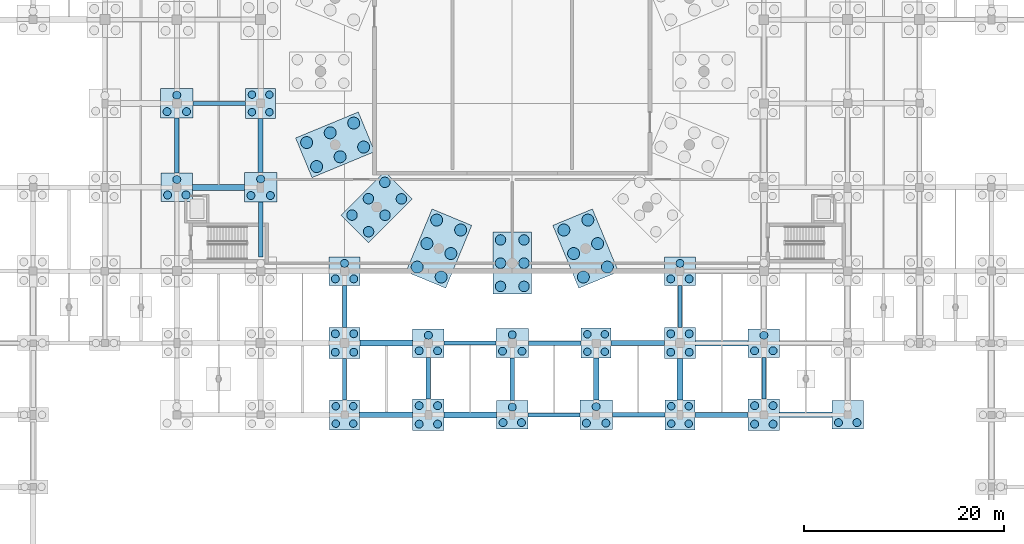
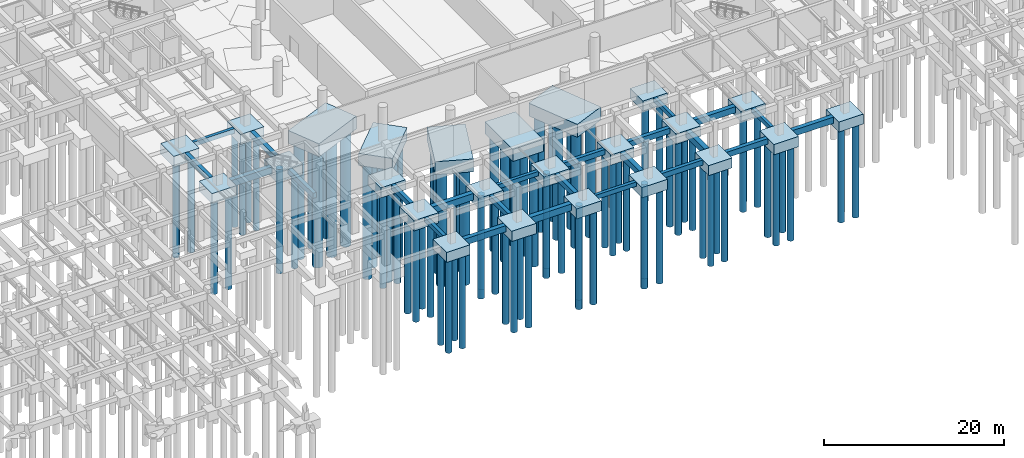
# One storey, part 4 of 44: 94 piles, 48 footings.
"""IFC4 building model written with IfcOpenShell, lengths in metres."""

from ifc_helpers import new_model, si_unit, direction, frame, origin, origin_2d, place, context, subcontext, project, spatial, rectangle, circle, extrude, material, material_profile, profile_set, type_object, element, save


model = new_model("IFC4")

# Units and contexts
model_context = context("Model", 3, precision=1e-05, world=origin(), true_north=direction((0.0, 1.0)))
body_context = subcontext(model_context, "Body", "Model", "MODEL_VIEW")
ifc_project = project(units=[si_unit("LENGTHUNIT", "METRE"), si_unit("AREAUNIT", "SQUARE_METRE"), si_unit("VOLUMEUNIT", "CUBIC_METRE"), si_unit("PLANEANGLEUNIT", "RADIAN"), si_unit("MASSUNIT", "GRAM", prefix="KILO")], contexts=[model_context])

# Site, building, storey
site_placement = place(None, origin())
site = spatial("IfcSite", under=ifc_project, at=site_placement, CompositionType="ELEMENT")
building_placement = place(site_placement, origin())
building = spatial("IfcBuilding", under=site, at=building_placement, Name="Korsvaeld Concert Hall", CompositionType="ELEMENT")
storey_placement = place(building_placement, frame((0.0, 0.0, -4.800048828125)))
storey = spatial("IfcBuildingStorey", under=building, at=storey_placement, Name="B1", CompositionType="ELEMENT", Elevation=-4.800048828125)

# Footings
ifc_material_1 = material(Name="Concrete C35/45", Category="concrete")
ifc_material_profile_1 = material_profile(ifc_material_1, rectangle(XDim=0.39990234375, YDim=0.60009765625, at=origin_2d()), Name="GTB 400x600")
ifc_profile_set_1 = profile_set([ifc_material_profile_1], Name="Concrete C35/45")
footing_type_1 = type_object("IfcFootingType", Name="GTB-400x600", PredefinedType="FOOTING_BEAM", material=ifc_profile_set_1)
for number, where, z_axis, x_axis, name in (
    (1, (85.574951171875, 28.800048828125, -0.300048828125), (1.0, 0.0, 0.0), (0.0, 1.0, 0.0), "Ground tie beam 12-13/E"),
    (2, (77.175048828125, 36.0, -0.300048828125), (1.0, 0.0, 0.0), (0.0, 1.0, 0.0), "Ground tie beam 11-12/F"),
):
    element("IfcFooting", number, at=place(storey_placement, frame(where, z_axis=z_axis, x_axis=x_axis)), inside=storey, type_object=footing_type_1, Name=name, PredefinedType="FOOTING_BEAM", context=body_context, shape_type="SweptSolid", body=[
        extrude(rectangle(XDim=0.39990234375, YDim=0.60009765625, at=origin_2d()), origin(), (0.0, 0.0, 1.0), 5.199951171875),
    ])
footing_1_placement = place(storey_placement, frame((52.02490234375, 60.0, -0.300048828125), z_axis=(1.0, 0.0, 0.0), x_axis=(0.0, 1.0, 0.0)))
element("IfcFooting", 3, at=footing_1_placement, inside=storey, type_object=footing_type_1, Name="Ground tie beam 8-9/J", PredefinedType="FOOTING_BEAM", context=body_context, shape_type="SweptSolid", body=[
    extrude(rectangle(XDim=0.39990234375, YDim=0.60009765625, at=origin_2d()), origin(), (0.0, 0.0, 1.0), 5.275146484375),
])
footing_2_placement = place(storey_placement, frame((67.199951171875, 30.300048828125, -0.300048828125), z_axis=(0.0, 1.0, 0.0), x_axis=(-1.0, 0.0, 0.0)))
element("IfcFooting", 4, at=footing_2_placement, inside=storey, type_object=footing_type_1, Name="Ground tie beam 10/E-F", PredefinedType="FOOTING_BEAM", context=body_context, shape_type="SweptSolid", body=[
    extrude(rectangle(XDim=0.39990234375, YDim=0.60009765625, at=origin_2d()), origin(), (0.0, 0.0, 1.0), 4.125),
])
for number, where, z_axis, x_axis, name in (
    (5, (100.800048828125, 37.574951171875, -0.300048828125), (0.0, 1.0, 0.0), (-1.0, 0.0, 0.0), "Ground tie beam 14/F-G"),
    (6, (109.199951171875, 30.375, -0.300048828125), (0.0, 1.0, 0.0), (-1.0, 0.0, 0.0), "Ground tie beam 15/E-F"),
):
    element("IfcFooting", number, at=place(storey_placement, frame(where, z_axis=z_axis, x_axis=x_axis)), inside=storey, type_object=footing_type_1, Name=name, PredefinedType="FOOTING_BEAM", context=body_context, shape_type="SweptSolid", body=[
        extrude(rectangle(XDim=0.39990234375, YDim=0.60009765625, at=origin_2d()), origin(), (0.0, 0.0, 1.0), 4.199951171875),
    ])
ifc_material_profile_2 = material_profile(ifc_material_1, rectangle(XDim=0.449951171875, YDim=0.699951171875, at=origin_2d()), Name="GTB 450x700")
ifc_profile_set_2 = profile_set([ifc_material_profile_2], Name="Concrete C35/45")
footing_type_2 = type_object("IfcFootingType", Name="GTB-450x700", PredefinedType="FOOTING_BEAM", material=ifc_profile_set_2)
footing_3_placement = place(storey_placement, frame((94.02490234375, 28.800048828125, -0.349853515625), z_axis=(1.0, 0.0, 0.0), x_axis=(0.0, 1.0, 0.0)))
element("IfcFooting", 7, at=footing_3_placement, inside=storey, type_object=footing_type_2, Name="Ground tie beam 13-14/E", PredefinedType="FOOTING_BEAM", context=body_context, shape_type="SweptSolid", body=[
    extrude(rectangle(XDim=0.449951171875, YDim=0.699951171875, at=origin_2d()), origin(), (0.0, 0.0, 1.0), 5.275146484375),
])
footing_4_placement = place(storey_placement, frame((85.625, 36.0, -0.349853515625), z_axis=(1.0, 0.0, 0.0), x_axis=(0.0, 1.0, 0.0)))
element("IfcFooting", 8, at=footing_4_placement, inside=storey, type_object=footing_type_2, Name="Ground tie beam 12-13/F", PredefinedType="FOOTING_BEAM", context=body_context, shape_type="SweptSolid", body=[
    extrude(rectangle(XDim=0.449951171875, YDim=0.699951171875, at=origin_2d()), origin(), (0.0, 0.0, 1.0), 5.27490234375),
])
for number, where, z_axis, x_axis, name in (
    (9, (50.39990234375, 53.02490234375, -0.349853515625), (0.0, 1.0, 0.0), (-1.0, 0.0, 0.0), "Ground tie beam 8/H-J"),
    (10, (58.800048828125, 44.625, -0.349853515625), (0.0, 1.0, 0.0), (-1.0, 0.0, 0.0), "Ground tie beam 9/G-H"),
):
    element("IfcFooting", number, at=place(storey_placement, frame(where, z_axis=z_axis, x_axis=x_axis)), inside=storey, type_object=footing_type_2, Name=name, PredefinedType="FOOTING_BEAM", context=body_context, shape_type="SweptSolid", body=[
        extrude(rectangle(XDim=0.449951171875, YDim=0.699951171875, at=origin_2d()), origin(), (0.0, 0.0, 1.0), 5.5),
    ])
for number, where, z_axis, x_axis, name in (
    (11, (67.199951171875, 37.574951171875, -0.349853515625), (0.0, 1.0, 0.0), (-1.0, 0.0, 0.0), "Ground tie beam 10/F-G"),
    (12, (75.60009765625, 30.375, -0.349853515625), (0.0, 1.0, 0.0), (-1.0, 0.0, 0.0), "Ground tie beam 11/E-F"),
):
    element("IfcFooting", number, at=place(storey_placement, frame(where, z_axis=z_axis, x_axis=x_axis)), inside=storey, type_object=footing_type_2, Name=name, PredefinedType="FOOTING_BEAM", context=body_context, shape_type="SweptSolid", body=[
        extrude(rectangle(XDim=0.449951171875, YDim=0.699951171875, at=origin_2d()), origin(), (0.0, 0.0, 1.0), 4.199951171875),
    ])
ifc_material_profile_3 = material_profile(ifc_material_1, rectangle(XDim=0.5, YDim=0.75, at=origin_2d()), Name="GTB 500x750")
ifc_profile_set_3 = profile_set([ifc_material_profile_3], Name="Concrete C35/45")
footing_type_3 = type_object("IfcFootingType", Name="GTB-500x750", PredefinedType="FOOTING_BEAM", material=ifc_profile_set_3)
footing_5_placement = place(storey_placement, frame((102.300048828125, 28.800048828125, -0.375), z_axis=(1.0, 0.0, 0.0), x_axis=(0.0, 1.0, 0.0)))
element("IfcFooting", 13, at=footing_5_placement, inside=storey, type_object=footing_type_3, Name="Ground tie beam 14-15/E", PredefinedType="FOOTING_BEAM", context=body_context, shape_type="SweptSolid", body=[
    extrude(rectangle(XDim=0.5, YDim=0.75, at=origin_2d()), origin(), (0.0, 0.0, 1.0), 5.324951171875),
])
footing_6_placement = place(storey_placement, frame((93.89990234375, 36.0, -0.375), z_axis=(1.0, 0.0, 0.0), x_axis=(0.0, 1.0, 0.0)))
element("IfcFooting", 14, at=footing_6_placement, inside=storey, type_object=footing_type_3, Name="Ground tie beam 13-14/F", PredefinedType="FOOTING_BEAM", context=body_context, shape_type="SweptSolid", body=[
    extrude(rectangle(XDim=0.5, YDim=0.75, at=origin_2d()), origin(), (0.0, 0.0, 1.0), 5.3251953125),
])
footing_7_placement = place(storey_placement, frame((58.800048828125, 53.074951171875, -0.375), z_axis=(0.0, 1.0, 0.0), x_axis=(-1.0, 0.0, 0.0)))
element("IfcFooting", 15, at=footing_7_placement, inside=storey, type_object=footing_type_3, Name="Ground tie beam 9/H-J", PredefinedType="FOOTING_BEAM", context=body_context, shape_type="SweptSolid", body=[
    extrude(rectangle(XDim=0.5, YDim=0.75, at=origin_2d()), origin(), (0.0, 0.0, 1.0), 5.425048828125),
])
footing_8_placement = place(storey_placement, frame((84.0, 30.22509765625, -0.375), z_axis=(0.0, 1.0, 0.0), x_axis=(-1.0, 0.0, 0.0)))
element("IfcFooting", 16, at=footing_8_placement, inside=storey, type_object=footing_type_3, Name="Ground tie beam 12/E-F", PredefinedType="FOOTING_BEAM", context=body_context, shape_type="SweptSolid", body=[
    extrude(rectangle(XDim=0.5, YDim=0.75, at=origin_2d()), origin(), (0.0, 0.0, 1.0), 4.2998046875),
])
ifc_material_profile_4 = material_profile(ifc_material_1, rectangle(XDim=0.550048828125, YDim=0.85009765625, at=origin_2d()), Name="GTB 550x850")
ifc_profile_set_4 = profile_set([ifc_material_profile_4], Name="Concrete C35/45")
footing_type_4 = type_object("IfcFootingType", Name="GTB-550x850", PredefinedType="FOOTING_BEAM", material=ifc_profile_set_4)
footing_9_placement = place(storey_placement, frame((68.699951171875, 28.800048828125, -0.425048828125), z_axis=(1.0, 0.0, 0.0), x_axis=(0.0, 1.0, 0.0)))
element("IfcFooting", 17, at=footing_9_placement, inside=storey, type_object=footing_type_4, Name="Ground tie beam 10-11/E", PredefinedType="FOOTING_BEAM", context=body_context, shape_type="SweptSolid", body=[
    extrude(rectangle(XDim=0.550048828125, YDim=0.85009765625, at=origin_2d()), origin(), (0.0, 0.0, 1.0), 5.324951171875),
])
for number, where, z_axis, x_axis, name in (
    (18, (110.77490234375, 28.800048828125, -0.425048828125), (1.0, 0.0, 0.0), (0.0, 1.0, 0.0), "Ground tie beam 15-16/E"),
    (19, (102.375, 36.0, -0.425048828125), (1.0, 0.0, 0.0), (0.0, 1.0, 0.0), "Ground tie beam 14-15/F"),
):
    element("IfcFooting", number, at=place(storey_placement, frame(where, z_axis=z_axis, x_axis=x_axis)), inside=storey, type_object=footing_type_4, Name=name, PredefinedType="FOOTING_BEAM", context=body_context, shape_type="SweptSolid", body=[
        extrude(rectangle(XDim=0.550048828125, YDim=0.85009765625, at=origin_2d()), origin(), (0.0, 0.0, 1.0), 5.25),
    ])
footing_10_placement = place(storey_placement, frame((92.39990234375, 30.27490234375, -0.425048828125), z_axis=(0.0, 1.0, 0.0), x_axis=(-1.0, 0.0, 0.0)))
element("IfcFooting", 20, at=footing_10_placement, inside=storey, type_object=footing_type_4, Name="Ground tie beam 13/E-F", PredefinedType="FOOTING_BEAM", context=body_context, shape_type="SweptSolid", body=[
    extrude(rectangle(XDim=0.550048828125, YDim=0.85009765625, at=origin_2d()), origin(), (0.0, 0.0, 1.0), 4.22509765625),
])
ifc_material_profile_5 = material_profile(ifc_material_1, rectangle(XDim=0.60009765625, YDim=0.89990234375, at=origin_2d()), Name="GTB 600x900")
ifc_profile_set_5 = profile_set([ifc_material_profile_5], Name="Concrete C35/45")
footing_type_5 = type_object("IfcFootingType", Name="GTB-600x900", PredefinedType="FOOTING_BEAM", material=ifc_profile_set_5)
for number, where, z_axis, x_axis, name in (
    (21, (77.175048828125, 28.800048828125, -0.449951171875), (1.0, 0.0, 0.0), (0.0, 1.0, 0.0), "Ground tie beam 11-12/E"),
    (22, (68.77490234375, 36.0, -0.449951171875), (1.0, 0.0, 0.0), (0.0, 1.0, 0.0), "Ground tie beam 10-11/F"),
):
    element("IfcFooting", number, at=place(storey_placement, frame(where, z_axis=z_axis, x_axis=x_axis)), inside=storey, type_object=footing_type_5, Name=name, PredefinedType="FOOTING_BEAM", context=body_context, shape_type="SweptSolid", body=[
        extrude(rectangle(XDim=0.60009765625, YDim=0.89990234375, at=origin_2d()), origin(), (0.0, 0.0, 1.0), 5.25),
    ])
footing_11_placement = place(storey_placement, frame((51.97509765625, 51.60009765625, -0.449951171875), z_axis=(1.0, 0.0, 0.0), x_axis=(0.0, 1.0, 0.0)))
element("IfcFooting", 23, at=footing_11_placement, inside=storey, type_object=footing_type_5, Name="Ground tie beam 8-9/H", PredefinedType="FOOTING_BEAM", context=body_context, shape_type="SweptSolid", body=[
    extrude(rectangle(XDim=0.60009765625, YDim=0.89990234375, at=origin_2d()), origin(), (0.0, 0.0, 1.0), 5.199951171875),
])
footing_12_placement = place(storey_placement, frame((100.800048828125, 30.300048828125, -0.449951171875), z_axis=(0.0, 1.0, 0.0), x_axis=(-1.0, 0.0, 0.0)))
element("IfcFooting", 24, at=footing_12_placement, inside=storey, type_object=footing_type_5, Name="Ground tie beam 14/E-F", PredefinedType="FOOTING_BEAM", context=body_context, shape_type="SweptSolid", body=[
    extrude(rectangle(XDim=0.60009765625, YDim=0.89990234375, at=origin_2d()), origin(), (0.0, 0.0, 1.0), 4.125),
])
footing_type_6 = type_object("IfcFootingType", Name="PC-3P-290x260x135", PredefinedType="PILE_CAP", material=ifc_material_1)
for number, where, z_axis, x_axis, name in (
    (25, (67.199951171875, 43.199951171875, -1.35009765625), (0.0, 0.0, 1.0), (1.0, 0.0, 0.0), "Pile cap 10/G"),
    (26, (75.60009765625, 36.0, -1.35009765625), (0.0, 0.0, 1.0), (1.0, 0.0, 0.0), "Pile cap 11/F"),
    (27, (84.0, 28.800048828125, -1.35009765625), (0.0, 0.0, 1.0), (1.0, 0.0, 0.0), "Pile cap 12/E"),
    (28, (100.800048828125, 43.199951171875, -1.35009765625), (0.0, 0.0, 1.0), (1.0, 0.0, 0.0), "Pile cap 14/G"),
    (29, (109.199951171875, 36.0, -1.35009765625), (0.0, 0.0, 1.0), (1.0, 0.0, 0.0), "Pile cap 15/F"),
    (30, (117.60009765625, 28.800048828125, -1.35009765625), (0.0, 0.0, 1.0), (1.0, 0.0, 0.0), "Pile cap 16/E"),
    (31, (50.39990234375, 51.60009765625, -1.35009765625), (0.0, 0.0, 1.0), (1.0, 0.0, 0.0), "Pile cap 8/H"),
):
    element("IfcFooting", number, at=place(storey_placement, frame(where, z_axis=z_axis, x_axis=x_axis)), inside=storey, type_object=footing_type_6, Name=name, PredefinedType="PILE_CAP", context=body_context, shape_type="SweptSolid", body=[
        extrude(rectangle(XDim=3.14990234375, YDim=2.85009765625, at=origin_2d()), origin(), (0.0, 0.0, 1.0), 1.35009765625),
    ])
footing_type_7 = type_object("IfcFootingType", Name="PC-3P-310x280x140", PredefinedType="PILE_CAP", material=ifc_material_1)
for number, where, z_axis, x_axis, name in (
    (32, (84.0, 36.0, -1.39990234375), (0.0, 0.0, 1.0), (1.0, 0.0, 0.0), "Pile cap 12/F"),
    (33, (92.39990234375, 28.800048828125, -1.39990234375), (0.0, 0.0, 1.0), (1.0, 0.0, 0.0), "Pile cap 13/E"),
    (34, (50.39990234375, 60.0, -1.39990234375), (0.0, 0.0, 1.0), (1.0, 0.0, 0.0), "Pile cap 8/J"),
    (35, (58.800048828125, 51.60009765625, -1.39990234375), (0.0, 0.0, 1.0), (1.0, 0.0, 0.0), "Pile cap 9/H"),
):
    element("IfcFooting", number, at=place(storey_placement, frame(where, z_axis=z_axis, x_axis=x_axis)), inside=storey, type_object=footing_type_7, Name=name, PredefinedType="PILE_CAP", context=body_context, shape_type="SweptSolid", body=[
        extrude(rectangle(XDim=3.25, YDim=2.949951171875, at=origin_2d()), origin(), (0.0, 0.0, 1.0), 1.39990234375),
    ])
footing_type_8 = type_object("IfcFootingType", Name="PC-4P-280x280x135", PredefinedType="PILE_CAP", material=ifc_material_1)
for number, where, z_axis, x_axis, name in (
    (36, (67.199951171875, 28.800048828125, -1.35009765625), (0.0, 0.0, 1.0), (1.0, 0.0, 0.0), "Pile cap 10/E"),
    (37, (92.39990234375, 36.0, -1.35009765625), (0.0, 0.0, 1.0), (1.0, 0.0, 0.0), "Pile cap 13/F"),
    (38, (100.800048828125, 28.800048828125, -1.35009765625), (0.0, 0.0, 1.0), (1.0, 0.0, 0.0), "Pile cap 14/E"),
    (39, (58.800048828125, 60.0, -1.35009765625), (0.0, 0.0, 1.0), (1.0, 0.0, 0.0), "Pile cap 9/J"),
):
    element("IfcFooting", number, at=place(storey_placement, frame(where, z_axis=z_axis, x_axis=x_axis)), inside=storey, type_object=footing_type_8, Name=name, PredefinedType="PILE_CAP", context=body_context, shape_type="SweptSolid", body=[
        extrude(rectangle(XDim=3.0, YDim=3.0, at=origin_2d()), origin(), (0.0, 0.0, 1.0), 1.35009765625),
    ])
footing_type_9 = type_object("IfcFootingType", Name="PC-4P-300x300x140", PredefinedType="PILE_CAP", material=ifc_material_1)
for number, where, z_axis, x_axis, name in (
    (40, (67.199951171875, 36.0, -1.39990234375), (0.0, 0.0, 1.0), (1.0, 0.0, 0.0), "Pile cap 10/F"),
    (41, (75.60009765625, 28.800048828125, -1.39990234375), (0.0, 0.0, 1.0), (1.0, 0.0, 0.0), "Pile cap 11/E"),
    (42, (100.800048828125, 36.0, -1.39990234375), (0.0, 0.0, 1.0), (1.0, 0.0, 0.0), "Pile cap 14/F"),
    (43, (109.199951171875, 28.800048828125, -1.39990234375), (0.0, 0.0, 1.0), (1.0, 0.0, 0.0), "Pile cap 15/E"),
):
    element("IfcFooting", number, at=place(storey_placement, frame(where, z_axis=z_axis, x_axis=x_axis)), inside=storey, type_object=footing_type_9, Name=name, PredefinedType="PILE_CAP", context=body_context, shape_type="SweptSolid", body=[
        extrude(rectangle(XDim=3.14990234375, YDim=3.14990234375, at=origin_2d()), origin(), (0.0, 0.0, 1.0), 1.39990234375),
    ])
footing_type_10 = type_object("IfcFootingType", Name="PC-6P-460x340x165", PredefinedType="PILE_CAP", material=ifc_material_1)
for number, where, z_axis, x_axis, name in (
    (44, (70.423583984375, 49.62353515625, -1.64990234375), (0.0, 0.0, 1.0), (-0.707106781187, -0.707106781187, 0.0), "Drum pile cap D11"),
    (45, (84.0, 44.0, -1.64990234375), (0.0, 0.0, 1.0), (0.0, -1.0, 0.0), "Drum pile cap D13"),
):
    element("IfcFooting", number, at=place(storey_placement, frame(where, z_axis=z_axis, x_axis=x_axis)), inside=storey, type_object=footing_type_10, Name=name, PredefinedType="PILE_CAP", context=body_context, shape_type="SweptSolid", body=[
        extrude(rectangle(XDim=6.199951171875, YDim=3.89990234375, at=origin_2d()), origin(), (0.0, 0.0, 1.0), 1.64990234375),
    ])
footing_type_11 = type_object("IfcFootingType", Name="PC-6P-500x360x175", PredefinedType="PILE_CAP", material=ifc_material_1)
for number, where, z_axis, x_axis, name in (
    (46, (66.261474609375, 55.8525390625, -1.75), (0.0, 0.0, 1.0), (-0.923879532511, -0.382683432365, 0.0), "Drum pile cap D10"),
    (47, (76.652587890625, 45.46142578125, -1.75), (0.0, 0.0, 1.0), (-0.382683432365, -0.923879532511, 0.0), "Drum pile cap D12"),
    (48, (91.347412109375, 45.46142578125, -1.75), (0.0, 0.0, 1.0), (0.382683432365, -0.923879532511, 0.0), "Drum pile cap D14"),
):
    element("IfcFooting", number, at=place(storey_placement, frame(where, z_axis=z_axis, x_axis=x_axis)), inside=storey, type_object=footing_type_11, Name=name, PredefinedType="PILE_CAP", context=body_context, shape_type="SweptSolid", body=[
        extrude(rectangle(XDim=6.800048828125, YDim=4.300048828125, at=origin_2d()), origin(), (0.0, 0.0, 1.0), 1.75),
    ])

# Piles
ifc_material_2 = material(Name="Concrete C40/50", Category="concrete")
ifc_material_profile_6 = material_profile(ifc_material_2, circle(Radius=0.52490234375, at=origin_2d()), Name="BORED PILE D1050")
ifc_profile_set_6 = profile_set([ifc_material_profile_6], Name="Concrete C40/50")
pile_type_1 = type_object("IfcPileType", Name="PILE-D1050", PredefinedType="BORED", material=ifc_profile_set_6)
for number, where, z_axis, x_axis, name in (
    (49, (71.23681640625, 52.098388671875, -1.550048828125), (0.0, 0.0, -1.0), (1.0, 0.0, 0.0), "Drum bored pile D11-1"),
    (50, (69.592529296875, 50.454345703125, -1.550048828125), (0.0, 0.0, -1.0), (1.0, 0.0, 0.0), "Drum bored pile D11-2"),
    (51, (67.948486328125, 48.810302734375, -1.550048828125), (0.0, 0.0, -1.0), (1.0, 0.0, 0.0), "Drum bored pile D11-3"),
    (52, (72.8984375, 50.436767578125, -1.550048828125), (0.0, 0.0, -1.0), (1.0, 0.0, 0.0), "Drum bored pile D11-4"),
    (53, (71.25439453125, 48.79248046875, -1.550048828125), (0.0, 0.0, -1.0), (1.0, 0.0, 0.0), "Drum bored pile D11-5"),
    (54, (69.6103515625, 47.148681640625, -1.550048828125), (0.0, 0.0, -1.0), (1.0, 0.0, 0.0), "Drum bored pile D11-6"),
    (55, (82.824951171875, 46.324951171875, -1.550048828125), (0.0, 0.0, -1.0), (1.0, 0.0, 0.0), "Drum bored pile D13-1"),
    (56, (82.824951171875, 44.0, -1.550048828125), (0.0, 0.0, -1.0), (1.0, 0.0, 0.0), "Drum bored pile D13-2"),
    (57, (82.824951171875, 41.675048828125, -1.550048828125), (0.0, 0.0, -1.0), (1.0, 0.0, 0.0), "Drum bored pile D13-3"),
    (58, (85.175048828125, 46.324951171875, -1.550048828125), (0.0, 0.0, -1.0), (1.0, 0.0, 0.0), "Drum bored pile D13-4"),
    (59, (85.175048828125, 44.0, -1.550048828125), (0.0, 0.0, -1.0), (1.0, 0.0, 0.0), "Drum bored pile D13-5"),
    (60, (85.175048828125, 41.675048828125, -1.550048828125), (0.0, 0.0, -1.0), (1.0, 0.0, 0.0), "Drum bored pile D13-6"),
):
    element("IfcPile", number, at=place(storey_placement, frame(where, z_axis=z_axis, x_axis=x_axis)), inside=storey, type_object=pile_type_1, Name=name, PredefinedType="BORED", context=body_context, shape_type="SweptSolid", body=[
        extrude(circle(Radius=0.52490234375, at=origin_2d()), origin(), (0.0, 0.0, 1.0), 15.60009765625),
    ])
ifc_material_profile_7 = material_profile(ifc_material_2, circle(Radius=0.60009765625, at=origin_2d()), Name="BORED PILE D1200")
ifc_profile_set_7 = profile_set([ifc_material_profile_7], Name="Concrete C40/50")
pile_type_2 = type_object("IfcPileType", Name="PILE-D1200", PredefinedType="BORED", material=ifc_profile_set_7)
for number, where, z_axis, x_axis, name in (
    (61, (68.119873046875, 58.029296875, -1.64990234375), (0.0, 0.0, -1.0), (1.0, 0.0, 0.0), "Drum bored pile D10-1"),
    (62, (65.763916015625, 57.053466796875, -1.64990234375), (0.0, 0.0, -1.0), (1.0, 0.0, 0.0), "Drum bored pile D10-2"),
    (63, (63.408203125, 56.07763671875, -1.64990234375), (0.0, 0.0, -1.0), (1.0, 0.0, 0.0), "Drum bored pile D10-3"),
    (64, (69.114990234375, 55.627197265625, -1.64990234375), (0.0, 0.0, -1.0), (1.0, 0.0, 0.0), "Drum bored pile D10-4"),
    (65, (66.759033203125, 54.651611328125, -1.64990234375), (0.0, 0.0, -1.0), (1.0, 0.0, 0.0), "Drum bored pile D10-5"),
    (66, (64.403076171875, 53.675537109375, -1.64990234375), (0.0, 0.0, -1.0), (1.0, 0.0, 0.0), "Drum bored pile D10-6"),
    (67, (76.42724609375, 48.31494140625, -1.64990234375), (0.0, 0.0, -1.0), (1.0, 0.0, 0.0), "Drum bored pile D12-1"),
    (68, (75.451416015625, 45.958984375, -1.64990234375), (0.0, 0.0, -1.0), (1.0, 0.0, 0.0), "Drum bored pile D12-2"),
    (69, (74.4755859375, 43.60302734375, -1.64990234375), (0.0, 0.0, -1.0), (1.0, 0.0, 0.0), "Drum bored pile D12-3"),
    (70, (78.829345703125, 47.31982421875, -1.64990234375), (0.0, 0.0, -1.0), (1.0, 0.0, 0.0), "Drum bored pile D12-4"),
    (71, (77.853515625, 44.964111328125, -1.64990234375), (0.0, 0.0, -1.0), (1.0, 0.0, 0.0), "Drum bored pile D12-5"),
    (72, (76.877685546875, 42.608154296875, -1.64990234375), (0.0, 0.0, -1.0), (1.0, 0.0, 0.0), "Drum bored pile D12-6"),
    (73, (89.170654296875, 47.31982421875, -1.64990234375), (0.0, 0.0, -1.0), (1.0, 0.0, 0.0), "Drum bored pile D14-1"),
    (74, (90.146484375, 44.964111328125, -1.64990234375), (0.0, 0.0, -1.0), (1.0, 0.0, 0.0), "Drum bored pile D14-2"),
    (75, (91.122314453125, 42.608154296875, -1.64990234375), (0.0, 0.0, -1.0), (1.0, 0.0, 0.0), "Drum bored pile D14-3"),
    (76, (91.57275390625, 48.31494140625, -1.64990234375), (0.0, 0.0, -1.0), (1.0, 0.0, 0.0), "Drum bored pile D14-4"),
    (77, (92.548583984375, 45.958984375, -1.64990234375), (0.0, 0.0, -1.0), (1.0, 0.0, 0.0), "Drum bored pile D14-5"),
    (78, (93.5244140625, 43.60302734375, -1.64990234375), (0.0, 0.0, -1.0), (1.0, 0.0, 0.0), "Drum bored pile D14-6"),
):
    element("IfcPile", number, at=place(storey_placement, frame(where, z_axis=z_axis, x_axis=x_axis)), inside=storey, type_object=pile_type_2, Name=name, PredefinedType="BORED", context=body_context, shape_type="SweptSolid", body=[
        extrude(circle(Radius=0.60009765625, at=origin_2d()), origin(), (0.0, 0.0, 1.0), 15.60009765625),
    ])
ifc_material_profile_8 = material_profile(ifc_material_1, circle(Radius=0.375, at=origin_2d()), Name="BORED PILE D750")
ifc_profile_set_8 = profile_set([ifc_material_profile_8], Name="Concrete C35/45")
pile_type_3 = type_object("IfcPileType", Name="PILE-D750", PredefinedType="BORED", material=ifc_profile_set_8)
for number, where, z_axis, x_axis, name in (
    (79, (66.324951171875, 27.925048828125, -1.25), (0.0, 0.0, -1.0), (1.0, 0.0, 0.0), "Bored pile 10/E-1"),
    (80, (68.074951171875, 27.925048828125, -1.25), (0.0, 0.0, -1.0), (1.0, 0.0, 0.0), "Bored pile 10/E-2"),
    (81, (66.324951171875, 29.675048828125, -1.25), (0.0, 0.0, -1.0), (1.0, 0.0, 0.0), "Bored pile 10/E-3"),
    (82, (68.074951171875, 29.675048828125, -1.25), (0.0, 0.0, -1.0), (1.0, 0.0, 0.0), "Bored pile 10/E-4"),
    (83, (91.52490234375, 35.125, -1.25), (0.0, 0.0, -1.0), (1.0, 0.0, 0.0), "Bored pile 13/F-1"),
    (84, (93.27490234375, 35.125, -1.25), (0.0, 0.0, -1.0), (1.0, 0.0, 0.0), "Bored pile 13/F-2"),
    (85, (91.52490234375, 36.875, -1.25), (0.0, 0.0, -1.0), (1.0, 0.0, 0.0), "Bored pile 13/F-3"),
    (86, (93.27490234375, 36.875, -1.25), (0.0, 0.0, -1.0), (1.0, 0.0, 0.0), "Bored pile 13/F-4"),
    (87, (99.925048828125, 27.925048828125, -1.25), (0.0, 0.0, -1.0), (1.0, 0.0, 0.0), "Bored pile 14/E-1"),
    (88, (101.675048828125, 27.925048828125, -1.25), (0.0, 0.0, -1.0), (1.0, 0.0, 0.0), "Bored pile 14/E-2"),
    (89, (99.925048828125, 29.675048828125, -1.25), (0.0, 0.0, -1.0), (1.0, 0.0, 0.0), "Bored pile 14/E-3"),
    (90, (101.675048828125, 29.675048828125, -1.25), (0.0, 0.0, -1.0), (1.0, 0.0, 0.0), "Bored pile 14/E-4"),
    (91, (57.925048828125, 59.125, -1.25), (0.0, 0.0, -1.0), (1.0, 0.0, 0.0), "Bored pile 9/J-1"),
    (92, (59.675048828125, 59.125, -1.25), (0.0, 0.0, -1.0), (1.0, 0.0, 0.0), "Bored pile 9/J-2"),
    (93, (57.925048828125, 60.875, -1.25), (0.0, 0.0, -1.0), (1.0, 0.0, 0.0), "Bored pile 9/J-3"),
    (94, (59.675048828125, 60.875, -1.25), (0.0, 0.0, -1.0), (1.0, 0.0, 0.0), "Bored pile 9/J-4"),
):
    element("IfcPile", number, at=place(storey_placement, frame(where, z_axis=z_axis, x_axis=x_axis)), inside=storey, type_object=pile_type_3, Name=name, PredefinedType="BORED", context=body_context, shape_type="SweptSolid", body=[
        extrude(circle(Radius=0.375, at=origin_2d()), origin(), (0.0, 0.0, 1.0), 12.75),
    ])
ifc_material_profile_9 = material_profile(ifc_material_1, circle(Radius=0.39990234375, at=origin_2d()), Name="BORED PILE D800")
ifc_profile_set_9 = profile_set([ifc_material_profile_9], Name="Concrete C35/45")
pile_type_4 = type_object("IfcPileType", Name="PILE-D800", PredefinedType="BORED", material=ifc_profile_set_9)
for number, where, z_axis, x_axis, name in (
    (95, (66.27490234375, 35.074951171875, -1.300048828125), (0.0, 0.0, -1.0), (1.0, 0.0, 0.0), "Bored pile 10/F-1"),
    (96, (68.125, 35.074951171875, -1.300048828125), (0.0, 0.0, -1.0), (1.0, 0.0, 0.0), "Bored pile 10/F-2"),
    (97, (66.27490234375, 36.925048828125, -1.300048828125), (0.0, 0.0, -1.0), (1.0, 0.0, 0.0), "Bored pile 10/F-3"),
    (98, (68.125, 36.925048828125, -1.300048828125), (0.0, 0.0, -1.0), (1.0, 0.0, 0.0), "Bored pile 10/F-4"),
):
    element("IfcPile", number, at=place(storey_placement, frame(where, z_axis=z_axis, x_axis=x_axis)), inside=storey, type_object=pile_type_4, Name=name, PredefinedType="BORED", context=body_context, shape_type="SweptSolid", body=[
        extrude(circle(Radius=0.39990234375, at=origin_2d()), origin(), (0.0, 0.0, 1.0), 12.800048828125),
    ])
for number, where, z_axis, x_axis, name in (
    (99, (66.27490234375, 42.425048828125, -1.25), (0.0, 0.0, -1.0), (1.0, 0.0, 0.0), "Bored pile 10/G-1"),
    (100, (68.125, 42.425048828125, -1.25), (0.0, 0.0, -1.0), (1.0, 0.0, 0.0), "Bored pile 10/G-2"),
    (101, (67.199951171875, 43.97509765625, -1.25), (0.0, 0.0, -1.0), (1.0, 0.0, 0.0), "Bored pile 10/G-3"),
):
    element("IfcPile", number, at=place(storey_placement, frame(where, z_axis=z_axis, x_axis=x_axis)), inside=storey, type_object=pile_type_4, Name=name, PredefinedType="BORED", context=body_context, shape_type="SweptSolid", body=[
        extrude(circle(Radius=0.39990234375, at=origin_2d()), origin(), (0.0, 0.0, 1.0), 12.75),
    ])
for number, where, z_axis, x_axis, name in (
    (102, (74.675048828125, 27.875, -1.300048828125), (0.0, 0.0, -1.0), (1.0, 0.0, 0.0), "Bored pile 11/E-1"),
    (103, (76.52490234375, 27.875, -1.300048828125), (0.0, 0.0, -1.0), (1.0, 0.0, 0.0), "Bored pile 11/E-2"),
    (104, (74.675048828125, 29.72509765625, -1.300048828125), (0.0, 0.0, -1.0), (1.0, 0.0, 0.0), "Bored pile 11/E-3"),
    (105, (76.52490234375, 29.72509765625, -1.300048828125), (0.0, 0.0, -1.0), (1.0, 0.0, 0.0), "Bored pile 11/E-4"),
):
    element("IfcPile", number, at=place(storey_placement, frame(where, z_axis=z_axis, x_axis=x_axis)), inside=storey, type_object=pile_type_4, Name=name, PredefinedType="BORED", context=body_context, shape_type="SweptSolid", body=[
        extrude(circle(Radius=0.39990234375, at=origin_2d()), origin(), (0.0, 0.0, 1.0), 12.800048828125),
    ])
for number, where, z_axis, x_axis, name in (
    (106, (74.675048828125, 35.22509765625, -1.25), (0.0, 0.0, -1.0), (1.0, 0.0, 0.0), "Bored pile 11/F-1"),
    (107, (76.52490234375, 35.22509765625, -1.25), (0.0, 0.0, -1.0), (1.0, 0.0, 0.0), "Bored pile 11/F-2"),
    (108, (75.60009765625, 36.77490234375, -1.25), (0.0, 0.0, -1.0), (1.0, 0.0, 0.0), "Bored pile 11/F-3"),
    (109, (83.074951171875, 28.02490234375, -1.25), (0.0, 0.0, -1.0), (1.0, 0.0, 0.0), "Bored pile 12/E-1"),
    (110, (84.925048828125, 28.02490234375, -1.25), (0.0, 0.0, -1.0), (1.0, 0.0, 0.0), "Bored pile 12/E-2"),
    (111, (84.0, 29.574951171875, -1.25), (0.0, 0.0, -1.0), (1.0, 0.0, 0.0), "Bored pile 12/E-3"),
):
    element("IfcPile", number, at=place(storey_placement, frame(where, z_axis=z_axis, x_axis=x_axis)), inside=storey, type_object=pile_type_4, Name=name, PredefinedType="BORED", context=body_context, shape_type="SweptSolid", body=[
        extrude(circle(Radius=0.39990234375, at=origin_2d()), origin(), (0.0, 0.0, 1.0), 12.75),
    ])
for number, where, z_axis, x_axis, name in (
    (112, (83.02490234375, 35.175048828125, -1.300048828125), (0.0, 0.0, -1.0), (1.0, 0.0, 0.0), "Bored pile 12/F-1"),
    (113, (84.97509765625, 35.175048828125, -1.300048828125), (0.0, 0.0, -1.0), (1.0, 0.0, 0.0), "Bored pile 12/F-2"),
    (114, (84.0, 36.824951171875, -1.300048828125), (0.0, 0.0, -1.0), (1.0, 0.0, 0.0), "Bored pile 12/F-3"),
    (115, (91.425048828125, 27.97509765625, -1.300048828125), (0.0, 0.0, -1.0), (1.0, 0.0, 0.0), "Bored pile 13/E-1"),
    (116, (93.375, 27.97509765625, -1.300048828125), (0.0, 0.0, -1.0), (1.0, 0.0, 0.0), "Bored pile 13/E-2"),
    (117, (92.39990234375, 29.625, -1.300048828125), (0.0, 0.0, -1.0), (1.0, 0.0, 0.0), "Bored pile 13/E-3"),
    (118, (99.875, 35.074951171875, -1.300048828125), (0.0, 0.0, -1.0), (1.0, 0.0, 0.0), "Bored pile 14/F-1"),
    (119, (101.72509765625, 35.074951171875, -1.300048828125), (0.0, 0.0, -1.0), (1.0, 0.0, 0.0), "Bored pile 14/F-2"),
    (120, (99.875, 36.925048828125, -1.300048828125), (0.0, 0.0, -1.0), (1.0, 0.0, 0.0), "Bored pile 14/F-3"),
    (121, (101.72509765625, 36.925048828125, -1.300048828125), (0.0, 0.0, -1.0), (1.0, 0.0, 0.0), "Bored pile 14/F-4"),
):
    element("IfcPile", number, at=place(storey_placement, frame(where, z_axis=z_axis, x_axis=x_axis)), inside=storey, type_object=pile_type_4, Name=name, PredefinedType="BORED", context=body_context, shape_type="SweptSolid", body=[
        extrude(circle(Radius=0.39990234375, at=origin_2d()), origin(), (0.0, 0.0, 1.0), 12.800048828125),
    ])
for number, where, z_axis, x_axis, name in (
    (122, (99.875, 42.425048828125, -1.25), (0.0, 0.0, -1.0), (1.0, 0.0, 0.0), "Bored pile 14/G-1"),
    (123, (101.72509765625, 42.425048828125, -1.25), (0.0, 0.0, -1.0), (1.0, 0.0, 0.0), "Bored pile 14/G-2"),
    (124, (100.800048828125, 43.97509765625, -1.25), (0.0, 0.0, -1.0), (1.0, 0.0, 0.0), "Bored pile 14/G-3"),
):
    element("IfcPile", number, at=place(storey_placement, frame(where, z_axis=z_axis, x_axis=x_axis)), inside=storey, type_object=pile_type_4, Name=name, PredefinedType="BORED", context=body_context, shape_type="SweptSolid", body=[
        extrude(circle(Radius=0.39990234375, at=origin_2d()), origin(), (0.0, 0.0, 1.0), 12.75),
    ])
for number, where, z_axis, x_axis, name in (
    (125, (108.27490234375, 27.875, -1.300048828125), (0.0, 0.0, -1.0), (1.0, 0.0, 0.0), "Bored pile 15/E-1"),
    (126, (110.125, 27.875, -1.300048828125), (0.0, 0.0, -1.0), (1.0, 0.0, 0.0), "Bored pile 15/E-2"),
    (127, (108.27490234375, 29.72509765625, -1.300048828125), (0.0, 0.0, -1.0), (1.0, 0.0, 0.0), "Bored pile 15/E-3"),
    (128, (110.125, 29.72509765625, -1.300048828125), (0.0, 0.0, -1.0), (1.0, 0.0, 0.0), "Bored pile 15/E-4"),
):
    element("IfcPile", number, at=place(storey_placement, frame(where, z_axis=z_axis, x_axis=x_axis)), inside=storey, type_object=pile_type_4, Name=name, PredefinedType="BORED", context=body_context, shape_type="SweptSolid", body=[
        extrude(circle(Radius=0.39990234375, at=origin_2d()), origin(), (0.0, 0.0, 1.0), 12.800048828125),
    ])
for number, where, z_axis, x_axis, name in (
    (129, (108.27490234375, 35.22509765625, -1.25), (0.0, 0.0, -1.0), (1.0, 0.0, 0.0), "Bored pile 15/F-1"),
    (130, (110.125, 35.22509765625, -1.25), (0.0, 0.0, -1.0), (1.0, 0.0, 0.0), "Bored pile 15/F-2"),
    (131, (109.199951171875, 36.77490234375, -1.25), (0.0, 0.0, -1.0), (1.0, 0.0, 0.0), "Bored pile 15/F-3"),
    (132, (116.675048828125, 28.02490234375, -1.25), (0.0, 0.0, -1.0), (1.0, 0.0, 0.0), "Bored pile 16/E-1"),
    (133, (118.52490234375, 28.02490234375, -1.25), (0.0, 0.0, -1.0), (1.0, 0.0, 0.0), "Bored pile 16/E-2"),
    (134, (49.47509765625, 50.824951171875, -1.25), (0.0, 0.0, -1.0), (1.0, 0.0, 0.0), "Bored pile 8/H-1"),
    (135, (51.324951171875, 50.824951171875, -1.25), (0.0, 0.0, -1.0), (1.0, 0.0, 0.0), "Bored pile 8/H-2"),
    (136, (50.39990234375, 52.375, -1.25), (0.0, 0.0, -1.0), (1.0, 0.0, 0.0), "Bored pile 8/H-3"),
):
    element("IfcPile", number, at=place(storey_placement, frame(where, z_axis=z_axis, x_axis=x_axis)), inside=storey, type_object=pile_type_4, Name=name, PredefinedType="BORED", context=body_context, shape_type="SweptSolid", body=[
        extrude(circle(Radius=0.39990234375, at=origin_2d()), origin(), (0.0, 0.0, 1.0), 12.75),
    ])
for number, where, z_axis, x_axis, name in (
    (137, (49.425048828125, 59.175048828125, -1.300048828125), (0.0, 0.0, -1.0), (1.0, 0.0, 0.0), "Bored pile 8/J-1"),
    (138, (51.375, 59.175048828125, -1.300048828125), (0.0, 0.0, -1.0), (1.0, 0.0, 0.0), "Bored pile 8/J-2"),
    (139, (50.39990234375, 60.824951171875, -1.300048828125), (0.0, 0.0, -1.0), (1.0, 0.0, 0.0), "Bored pile 8/J-3"),
    (140, (57.824951171875, 50.77490234375, -1.300048828125), (0.0, 0.0, -1.0), (1.0, 0.0, 0.0), "Bored pile 9/H-1"),
    (141, (59.77490234375, 50.77490234375, -1.300048828125), (0.0, 0.0, -1.0), (1.0, 0.0, 0.0), "Bored pile 9/H-2"),
    (142, (58.800048828125, 52.425048828125, -1.300048828125), (0.0, 0.0, -1.0), (1.0, 0.0, 0.0), "Bored pile 9/H-3"),
):
    element("IfcPile", number, at=place(storey_placement, frame(where, z_axis=z_axis, x_axis=x_axis)), inside=storey, type_object=pile_type_4, Name=name, PredefinedType="BORED", context=body_context, shape_type="SweptSolid", body=[
        extrude(circle(Radius=0.39990234375, at=origin_2d()), origin(), (0.0, 0.0, 1.0), 12.800048828125),
    ])

save(model, "model.ifc")
